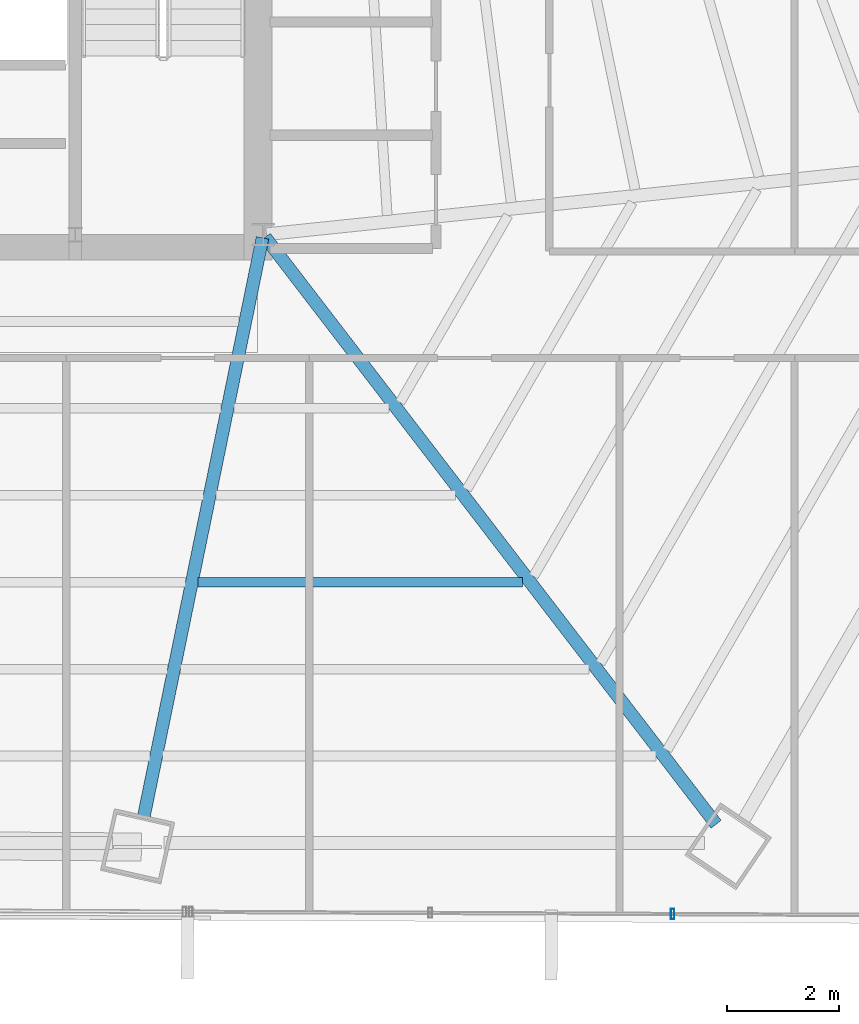
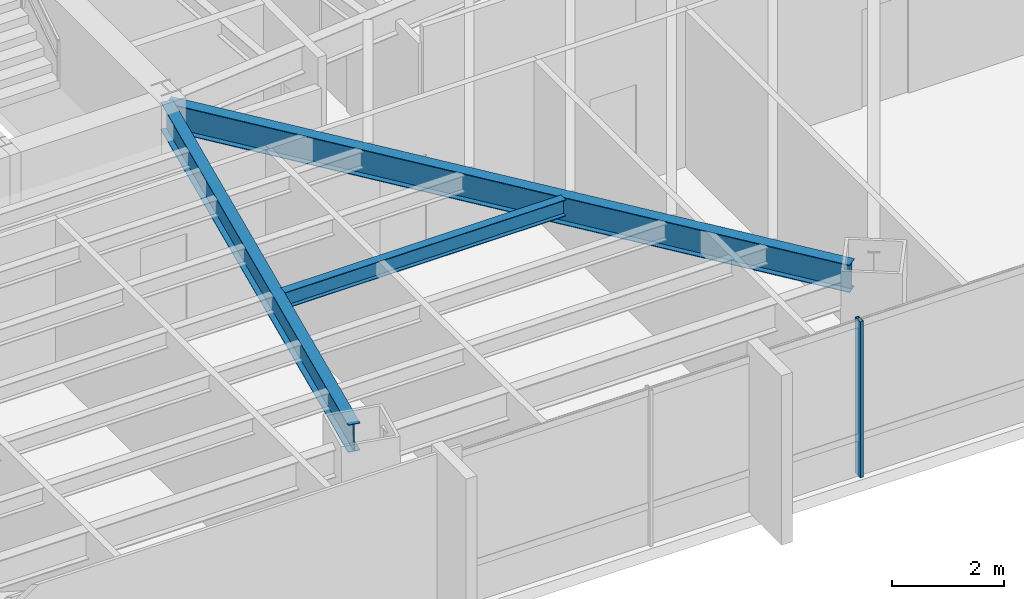
# One storey, part 16 of 36: 3 beams, 1 member, 1 element without a shape of its own.
"""IFC4 building model written with IfcOpenShell, lengths in metres."""

import ifcopenshell
import ifcopenshell.guid

model = None  # the IFC model being written
_history = None  # IfcOwnerHistory: only IFC2X3 demands one
_inside = {}  # id of a spatial element -> (the spatial element, [elements in it])
_under = {}  # id of a project, library or spatial element -> (it, [spatial elements below it])
_declared = {}  # id of a project -> (the project, [libraries it declares])
_typed = {}  # id of a type object -> (the type object, [elements of that type])
_made_of = {}  # id of a material, layer set ... -> (it, [elements and type objects made of it])


def new_model(schema):
    """Start an empty IFC model of exactly this schema.

    Asked for "IFC4X3", IfcOpenShell would pick the latest addendum, in which some entities
    have other attributes; the version numbers below select the first issue.
    IFC2X3 requires an IfcOwnerHistory on every rooted entity: one is made here for all.
    """
    global model, _history
    if schema == "IFC4X3":
        model = ifcopenshell.file(schema_version=(4, 3, 0, 0))
    else:
        model = ifcopenshell.file(schema=schema)
    _inside.clear()
    _under.clear()
    _declared.clear()
    _typed.clear()
    _made_of.clear()
    _history = None
    if model.schema == "IFC2X3":
        org = make("IfcOrganization", Name="unknown")
        user = make(
            "IfcPersonAndOrganization",
            ThePerson=make("IfcPerson", FamilyName="unknown"),
            TheOrganization=org,
        )
        app = make(
            "IfcApplication",
            ApplicationDeveloper=org,
            Version="unknown",
            ApplicationFullName="unknown",
            ApplicationIdentifier="unknown",
        )
        _history = make(
            "IfcOwnerHistory",
            OwningUser=user,
            OwningApplication=app,
            ChangeAction="ADDED",
            CreationDate=0,
        )
    return model


def make(cls, **values):
    """One entity of the class cls with the attributes given. An attribute that is None is left unset."""
    return model.create_entity(
        cls, **{name: value for name, value in values.items() if value is not None}
    )


def rooted(cls, **values):
    """An entity with a GlobalId (a new one), such as an element, a storey or a relation."""
    return make(cls, GlobalId=ifcopenshell.guid.new(), OwnerHistory=_history, **values)


def si_unit(unit_type, name, prefix=None):
    """IfcSIUnit, for example si_unit("LENGTHUNIT", "METRE", prefix="MILLI")."""
    return make("IfcSIUnit", UnitType=unit_type, Prefix=prefix, Name=name)


def assignment(units):
    """IfcUnitAssignment: the units of a project."""
    return None if units is None else make("IfcUnitAssignment", Units=units)


def point(xyz):
    """IfcCartesianPoint."""
    return None if xyz is None else make("IfcCartesianPoint", Coordinates=xyz)


def direction(xyz):
    """IfcDirection."""
    return None if xyz is None else make("IfcDirection", DirectionRatios=xyz)


def frame(location, z_axis=None, x_axis=None):
    """IfcAxis2Placement3D, a coordinate frame: its origin and axes. An axis left out is left unset."""
    return make(
        "IfcAxis2Placement3D",
        Location=point(location),
        Axis=direction(z_axis),
        RefDirection=direction(x_axis),
    )


def frame_2d(location, x_axis=None):
    """IfcAxis2Placement2D, a coordinate frame in the plane: its origin and x axis."""
    return make(
        "IfcAxis2Placement2D", Location=point(location), RefDirection=direction(x_axis)
    )


def origin():
    """The frame at (0, 0, 0) with its axes left unset."""
    return frame((0.0, 0.0, 0.0))


def origin_2d():
    """The frame at (0, 0) in the plane with its x axis left unset."""
    return frame_2d((0.0, 0.0))


def place(relative_to, where):
    """IfcLocalPlacement: puts the frame where relative to a parent placement (None: the world)."""
    return make(
        "IfcLocalPlacement", PlacementRelTo=relative_to, RelativePlacement=where
    )


def context(
    kind, dimensions, precision=None, world=None, true_north=None, identifier=None
):
    """IfcGeometricRepresentationContext, for example the 3D "Model" context."""
    return make(
        "IfcGeometricRepresentationContext",
        ContextIdentifier=identifier,
        ContextType=kind,
        CoordinateSpaceDimension=dimensions,
        Precision=precision,
        WorldCoordinateSystem=world,
        TrueNorth=true_north,
    )


def subcontext(parent, identifier, kind, view, scale=None):
    """IfcGeometricRepresentationSubContext, for example "Body" below "Model"."""
    return make(
        "IfcGeometricRepresentationSubContext",
        ContextIdentifier=identifier,
        ContextType=kind,
        ParentContext=parent,
        TargetScale=scale,
        TargetView=view,
    )


def project(units=None, contexts=None):
    """IfcProject with its units and contexts."""
    return rooted(
        "IfcProject",
        Name="project",
        RepresentationContexts=contexts,
        UnitsInContext=assignment(units),
    )


def spatial(cls, under=None, at=None, **own):
    """A site, building, storey or space (cls), placed at a placement, below another one or the project."""
    s = rooted(cls, ObjectPlacement=at, **own)
    if under is not None:
        _under.setdefault(under.id(), (under, []))[1].append(s)
    return s


def profile(cls, at=None, kind="AREA", **sizes):
    """A parametric profile (cls). Its sizes go by their IFC names, for example OverallWidth=200.0."""
    return make(cls, ProfileType=kind, Position=at, **sizes)


def hollow_rectangle(**sizes):
    """IfcRectangleHollowProfileDef."""
    return profile("IfcRectangleHollowProfileDef", **sizes)


def i_section(**sizes):
    """IfcIShapeProfileDef."""
    return profile("IfcIShapeProfileDef", **sizes)


def extrude(swept, where, along, depth):
    """IfcExtrudedAreaSolid: the profile swept, set in the frame where, extruded along a direction by depth."""
    return make(
        "IfcExtrudedAreaSolid",
        SweptArea=swept,
        Position=where,
        ExtrudedDirection=direction(along),
        Depth=depth,
    )


def shape(context_of_items, identifier, shape_type, items):
    """IfcShapeRepresentation: the items that make up one representation, for example the "Body"."""
    return make(
        "IfcShapeRepresentation",
        ContextOfItems=context_of_items,
        RepresentationIdentifier=identifier,
        RepresentationType=shape_type,
        Items=items,
    )


def source(mapping_origin, context_of_items, identifier, shape_type, items):
    """IfcRepresentationMap: a shape defined once, which mapped items show again and again."""
    return make(
        "IfcRepresentationMap",
        MappingOrigin=mapping_origin,
        MappedRepresentation=shape(context_of_items, identifier, shape_type, items),
    )


def transform(
    local_origin,
    x_axis=None,
    y_axis=None,
    z_axis=None,
    scale=None,
    scale2=None,
    scale3=None,
    uniform=True,
):
    """IfcCartesianTransformationOperator3D, or its non-uniform kind. x_axis, y_axis, z_axis: its Axis1, 2, 3."""
    if uniform:
        return make(
            "IfcCartesianTransformationOperator3D",
            Axis1=direction(x_axis),
            Axis2=direction(y_axis),
            LocalOrigin=point(local_origin),
            Scale=scale,
            Axis3=direction(z_axis),
        )
    return make(
        "IfcCartesianTransformationOperator3DnonUniform",
        Axis1=direction(x_axis),
        Axis2=direction(y_axis),
        LocalOrigin=point(local_origin),
        Scale=scale,
        Axis3=direction(z_axis),
        Scale2=scale2,
        Scale3=scale3,
    )


def mapped(mapping_source, mapping_target):
    """IfcMappedItem: shows the shape of a source again, moved by a transform."""
    return make(
        "IfcMappedItem", MappingSource=mapping_source, MappingTarget=mapping_target
    )


def material(Name=None, Category=None):
    """IfcMaterial."""
    return make("IfcMaterial", Name=Name, Category=Category)


def material_profile(
    of_material, cross_section, Name=None, Category=None, Priority=None
):
    """IfcMaterialProfile: a cross section and its material."""
    return make(
        "IfcMaterialProfile",
        Name=Name,
        Material=of_material,
        Profile=cross_section,
        Priority=Priority,
        Category=Category,
    )


def profile_set(profiles, Name=None, composite=None):
    """IfcMaterialProfileSet."""
    return make(
        "IfcMaterialProfileSet",
        Name=Name,
        MaterialProfiles=profiles,
        CompositeProfile=composite,
    )


def made_of(thing, what):
    """Note that an element or type object is made of a material, layer set ...; save() writes the relation."""
    if what is not None:
        _made_of.setdefault(what.id(), (what, []))[1].append(thing)
    return thing


def type_object(cls, material=None, **own):
    """A type object (cls), such as IfcWallType, which elements share."""
    return made_of(rooted(cls, **own), material)


def type_shapes(of_type, sources):
    """Give a type object the sources (RepresentationMaps) that its elements show as mapped items."""
    of_type.RepresentationMaps = sources


def element(
    cls,
    number,
    at=None,
    inside=None,
    cuts=None,
    type_object=None,
    material=None,
    context=None,
    identifier="Body",
    shape_type=None,
    held_by="IfcProductDefinitionShape",
    body=None,
    shapes=None,
    **own,
):
    """One element of the class cls, such as IfcWall. Its Tag is "e" and its number.

    at: its placement. inside: the storey or other place that contains it. cuts: it is an
    opening in that element (IfcRelVoidsElement). A single representation is given by context,
    identifier, shape_type and body (its items); several are given by shapes. held_by: the class
    of the entity that holds the representations. save() writes the other relations.
    """
    e = rooted(cls, Tag="e%d" % number, ObjectPlacement=at, **own)
    if body is not None:
        shapes = [shape(context, identifier, shape_type, body)]
    if shapes is not None:
        e.Representation = make(held_by, Representations=shapes)
    if inside is not None:
        _inside.setdefault(inside.id(), (inside, []))[1].append(e)
    if cuts is not None:
        rooted(
            "IfcRelVoidsElement", RelatingBuildingElement=cuts, RelatedOpeningElement=e
        )
    if type_object is not None:
        _typed.setdefault(type_object.id(), (type_object, []))[1].append(e)
    return made_of(e, material)


def aggregate(whole, parts):
    """IfcRelAggregates: a whole, such as a stair, and the parts it consists of."""
    return rooted("IfcRelAggregates", RelatingObject=whole, RelatedObjects=parts)


def save(model, path):
    """Write the relations noted so far, then the file.

    IfcRelAggregates (storeys below a building ...), IfcRelContainedInSpatialStructure (elements
    in a storey), IfcRelDefinesByType, IfcRelAssociatesMaterial and IfcRelDeclares: one each for
    every whole, place, type object, material and project.
    """
    for whole, parts in _under.values():
        aggregate(whole, parts)
    for where, things in _inside.values():
        rooted(
            "IfcRelContainedInSpatialStructure",
            RelatedElements=things,
            RelatingStructure=where,
        )
    for kind, things in _typed.values():
        rooted("IfcRelDefinesByType", RelatedObjects=things, RelatingType=kind)
    for what, things in _made_of.values():
        rooted("IfcRelAssociatesMaterial", RelatedObjects=things, RelatingMaterial=what)
    for by, libraries in _declared.values():
        rooted("IfcRelDeclares", RelatingContext=by, RelatedDefinitions=libraries)
    model.write(path)


model = new_model("IFC4")

# Units and contexts
model_context = context("Model", 3, precision=1e-05, world=origin(), true_north=direction((0.0, 1.0)))
body_context = subcontext(model_context, "Body", "Model", "MODEL_VIEW")
ifc_project = project(units=[si_unit("LENGTHUNIT", "METRE"), si_unit("AREAUNIT", "SQUARE_METRE"), si_unit("VOLUMEUNIT", "CUBIC_METRE"), si_unit("PLANEANGLEUNIT", "RADIAN"), si_unit("MASSUNIT", "GRAM", prefix="KILO")], contexts=[model_context])

# Site, building, storey
site_placement = place(None, origin())
site = spatial("IfcSite", under=ifc_project, at=site_placement, CompositionType="ELEMENT")
building_placement = place(site_placement, origin())
building = spatial("IfcBuilding", under=site, at=building_placement, Name="Caelisora Broadcast Tower", CompositionType="ELEMENT")
storey_placement = place(building_placement, frame((0.0, 0.0, 112.699951171875)))
storey = spatial("IfcBuildingStorey", under=building, at=storey_placement, Name="L29", CompositionType="ELEMENT", Elevation=112.699951171875)

# Beams
ifc_material_1 = material(Name="Steel Grade 350 (AS/NZS 3679.1)", Category="steel")
ifc_material_profile_1 = material_profile(ifc_material_1, i_section(OverallWidth=0.22802734375, OverallDepth=0.602294921875, WebThickness=0.010498046875, FlangeThickness=0.014892578125, at=origin_2d()), Name="Steel Grade 350 (AS/NZS 3679.1)")
ifc_profile_set_1 = profile_set([ifc_material_profile_1], Name="Steel Grade 350 (AS/NZS 3679.1)")
beam_type_1 = type_object("IfcBeamType", Name="PG04", PredefinedType="BEAM", material=ifc_profile_set_1)
shared_shape_1 = source(origin(), body_context, "Body", "SweptSolid", [
    extrude(i_section(OverallWidth=0.22802734375, OverallDepth=0.602294921875, WebThickness=0.010498046875, FlangeThickness=0.014892578125, at=origin_2d()), origin(), (0.0, 0.0, 1.0), 13.191162109375),
])
beam_1_placement = place(storey_placement, frame((45.53662109375, 17.352294921875, 3.098876953125), z_axis=(0.609155163493, -0.793051061906, 0.0), x_axis=(0.793051061906, 0.609155163493, 0.0)))
element("IfcBeam", 1, at=beam_1_placement, inside=storey, type_object=beam_type_1, Name="L29 beam PG04", PredefinedType="BEAM", context=body_context, shape_type="MappedRepresentation", body=[
    mapped(shared_shape_1, transform((0.0, 0.0, 0.0), scale=1.0)),
])
shared_shape_2 = source(origin(), body_context, "Body", "SweptSolid", [
    extrude(i_section(OverallWidth=0.22802734375, OverallDepth=0.602294921875, WebThickness=0.010498046875, FlangeThickness=0.014892578125, at=origin_2d()), origin(), (0.0, 0.0, 1.0), 10.587890625),
])
type_shapes(beam_type_1, [shared_shape_1, shared_shape_2])
beam_2_placement = place(storey_placement, frame((45.48779296875, 17.34130859375, 3.098876953125), z_axis=(-0.200929392252, -0.979605726468, 0.0), x_axis=(0.979605726468, -0.200929392252, 0.0)))
element("IfcBeam", 2, at=beam_2_placement, inside=storey, type_object=beam_type_1, Name="L29 beam PG04", PredefinedType="BEAM", context=body_context, shape_type="MappedRepresentation", body=[
    mapped(shared_shape_2, transform((0.0, 0.0, 0.0), scale=1.0)),
])
ifc_material_profile_2 = material_profile(ifc_material_1, i_section(OverallWidth=0.172119140625, OverallDepth=0.358642578125, WebThickness=0.008056640625, FlangeThickness=0.012939453125, at=origin_2d()), Name="Steel Grade 350 (AS/NZS 3679.1)")
ifc_profile_set_2 = profile_set([ifc_material_profile_2], Name="Steel Grade 350 (AS/NZS 3679.1)")
beam_type_2 = type_object("IfcBeamType", Name="SB02", PredefinedType="JOIST", material=ifc_profile_set_2)
shared_shape_3 = source(origin(), body_context, "Body", "SweptSolid", [
    extrude(i_section(OverallWidth=0.172119140625, OverallDepth=0.358642578125, WebThickness=0.008056640625, FlangeThickness=0.012939453125, at=origin_2d()), origin(), (0.0, 0.0, 1.0), 5.775390625),
])
type_shapes(beam_type_2, [shared_shape_3])
beam_3_placement = place(storey_placement, frame((44.342529296875, 11.20458984375, 3.220703125), z_axis=(1.0, 0.0, 0.0), x_axis=(0.0, 1.0, 0.0)))
element("IfcBeam", 3, at=beam_3_placement, inside=storey, type_object=beam_type_2, Name="L29 beam SB02", PredefinedType="JOIST", context=body_context, shape_type="MappedRepresentation", body=[
    mapped(shared_shape_3, transform((0.0, 0.0, 0.0), scale=1.0)),
])

# Curtain wall, member
ifc_material_2 = material(Name="Unitised Aluminium and Low-E Glass Curtain Wall", Category="glass")
curtain_wall_type = type_object("IfcCurtainWallType", Name="CW-Z2", PredefinedType="NOTDEFINED", material=ifc_material_2)
curtain_wall_placement = place(storey_placement, origin())
curtain_wall = element("IfcCurtainWall", 4, at=curtain_wall_placement, inside=storey, type_object=curtain_wall_type, Name="L29 curtain wall CW-Z2", PredefinedType="NOTDEFINED")
ifc_material_3 = material(Name="Aluminium 6063-T6 Anodised Terracotta Bronze", Category="aluminium")
ifc_material_profile_3 = material_profile(ifc_material_3, hollow_rectangle(XDim=0.06494140625, YDim=0.179931640625, WallThickness=0.00341796875, at=origin_2d()), Name="Aluminium 6063-T6 Anodised Terracotta Bronze")
ifc_profile_set_3 = profile_set([ifc_material_profile_3], Name="Aluminium 6063-T6 Anodised Terracotta Bronze")
member_type = type_object("IfcMemberType", Name="CWM-02", PredefinedType="MULLION", material=ifc_profile_set_3)
shared_shape_4 = source(origin(), body_context, "Body", "SweptSolid", [
    extrude(hollow_rectangle(XDim=0.06494140625, YDim=0.179931640625, WallThickness=0.00341796875, at=origin_2d()), origin(), (0.0, 0.0, 1.0), 3.400146484375),
])
type_shapes(member_type, [shared_shape_4])
member_placement = place(storey_placement, frame((52.797607421875, 5.291015625, 0.0), z_axis=(0.0, 0.0, 1.0), x_axis=(1.0, 0.0, 0.0)))
member = element("IfcMember", 5, at=member_placement, type_object=member_type, Name="L29-CW-B05 mullion #1", PredefinedType="MULLION", context=body_context, shape_type="MappedRepresentation", body=[
    mapped(shared_shape_4, transform((0.0, 0.0, 0.0), scale=1.0)),
])
aggregate(curtain_wall, [member])

save(model, "model.ifc")
